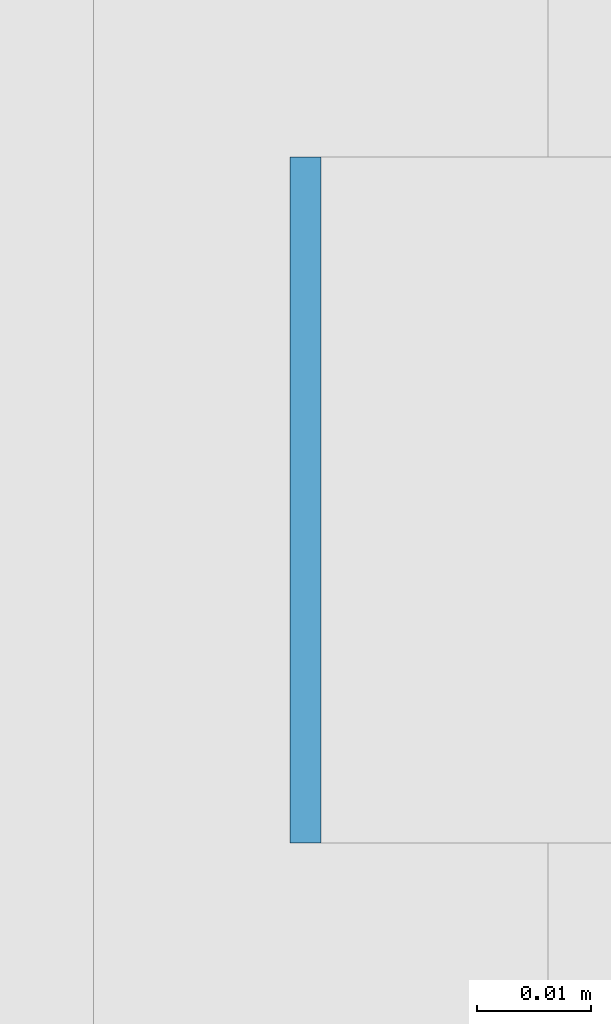
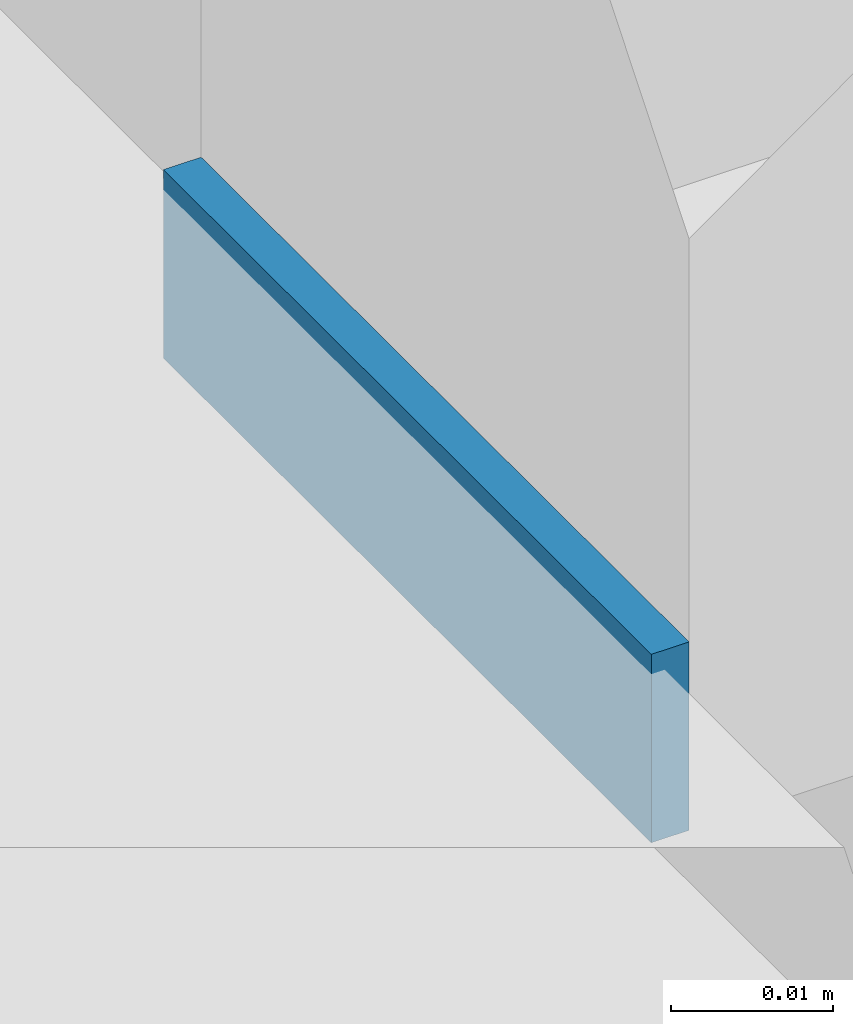
# One storey, part 582 of 646: 1 discrete accessory.
"""IFC4 building model written with IfcOpenShell, lengths in metres."""

from ifc_helpers import new_model, si_unit, direction, frame, origin, origin_2d, place, context, subcontext, project, spatial, rectangle, extrude, material, type_object, element, save


model = new_model("IFC4")

# Units and contexts
model_context = context("Model", 3, precision=1e-05, world=origin(), true_north=direction((0.0, 1.0)))
body_context = subcontext(model_context, "Body", "Model", "MODEL_VIEW")
ifc_project = project(units=[si_unit("LENGTHUNIT", "METRE"), si_unit("AREAUNIT", "SQUARE_METRE"), si_unit("VOLUMEUNIT", "CUBIC_METRE"), si_unit("PLANEANGLEUNIT", "RADIAN"), si_unit("MASSUNIT", "GRAM", prefix="KILO")], contexts=[model_context])

# Site, building, storey
site_placement = place(None, origin())
site = spatial("IfcSite", under=ifc_project, at=site_placement, CompositionType="ELEMENT")
building_placement = place(site_placement, origin())
building = spatial("IfcBuilding", under=site, at=building_placement, Name="Silverbay Arena", CompositionType="ELEMENT")
storey_placement = place(building_placement, frame((0.0, 0.0, 33.5)))
storey = spatial("IfcBuildingStorey", under=building, at=storey_placement, Name="L05", CompositionType="ELEMENT", Elevation=33.5)

# Discrete accessory
ifc_material = material(Name="Steel S355", Category="steel")
discrete_accessory_type = type_object("IfcDiscreteAccessoryType", Name="Steel bracket plate", PredefinedType="BRACKET", material=ifc_material)
discrete_accessory_placement = place(storey_placement, frame((207.128662109375, 113.142822265625, 4.0), z_axis=(0.0, 0.0, 1.0), x_axis=(1.0, 0.0, 0.0)))
element("IfcDiscreteAccessory", 1, at=discrete_accessory_placement, inside=storey, type_object=discrete_accessory_type, Name="Curtain wall packing plate", PredefinedType="BRACKET", context=body_context, shape_type="SweptSolid", body=[
    extrude(rectangle(XDim=0.002685546875, YDim=0.06005859375, at=origin_2d()), origin(), (0.0, 0.0, 1.0), 0.01416015625),
])

save(model, "model.ifc")
